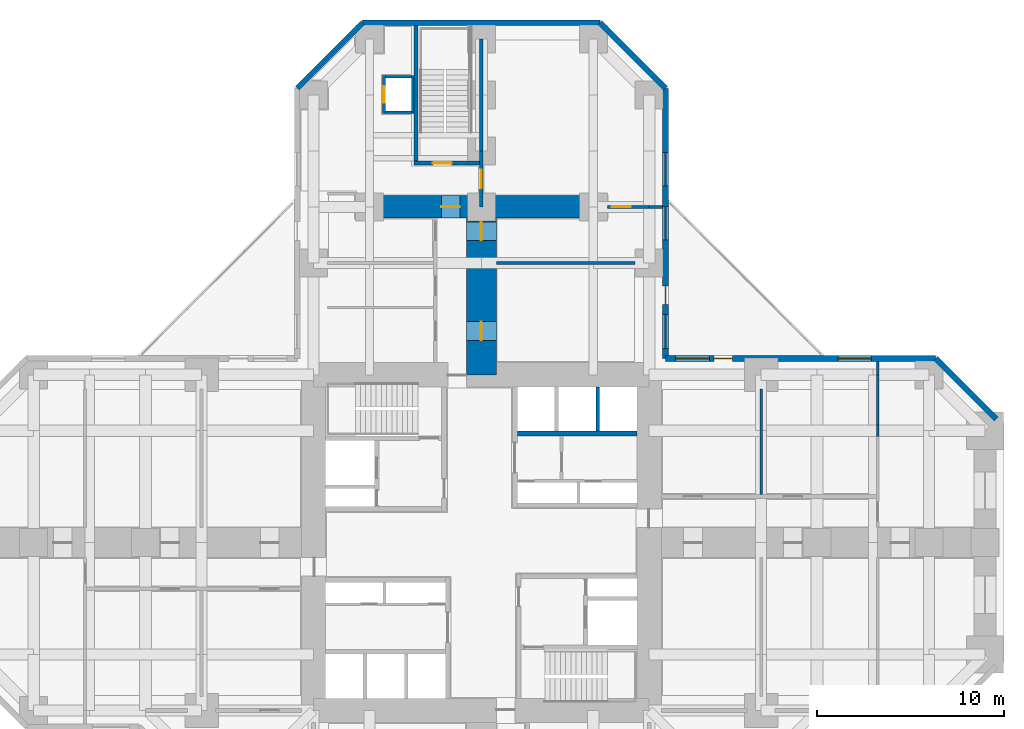
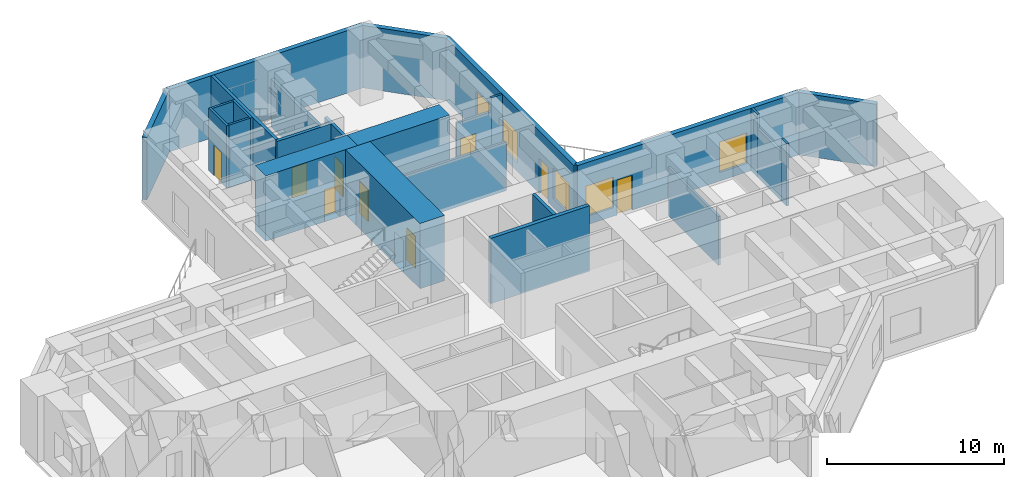
# One storey, part 7 of 10: 26 walls, 9 doors, 5 windows, 14 openings.
"""IFC4 building model written with IfcOpenShell, lengths in metres."""

from ifc_helpers import new_model, si_unit, direction, frame, frame_2d, origin, place, context, subcontext, project, spatial, rectangle, hollow_rectangle, extrude, material, layer, layer_set, constituent, constituent_set, type_object, element, fill, save


model = new_model("IFC4")

# Units and contexts
model_context = context("Model", 3, precision=1e-05, world=origin(), true_north=direction((0.0, 1.0)))
body_context = subcontext(model_context, "Body", "Model", "MODEL_VIEW")
ifc_project = project(units=[si_unit("LENGTHUNIT", "METRE"), si_unit("AREAUNIT", "SQUARE_METRE"), si_unit("VOLUMEUNIT", "CUBIC_METRE"), si_unit("PLANEANGLEUNIT", "RADIAN"), si_unit("MASSUNIT", "GRAM", prefix="KILO")], contexts=[model_context])

# Site, building, storey
site_placement = place(None, origin())
site = spatial("IfcSite", under=ifc_project, at=site_placement, CompositionType="ELEMENT")
building_placement = place(site_placement, origin())
building = spatial("IfcBuilding", under=site, at=building_placement, Name="Torre Cruceta", CompositionType="ELEMENT")
storey_placement = place(building_placement, frame((0.0, 0.0, 5.0)))
storey = spatial("IfcBuildingStorey", under=building, at=storey_placement, Name="L01", CompositionType="ELEMENT", Elevation=5.0)

# Wall
ifc_material_1 = material(Name="Concrete G60 (fck 60 MPa)", Category="concrete")
ifc_layer_1 = layer(ifc_material_1, 0.25)
ifc_layer_set_1 = layer_set([ifc_layer_1], Name="Concrete G60 (fck 60 MPa)")
wall_type_1 = type_object("IfcWallType", Name="CORE INNER WALL 250 G60", PredefinedType="SHEAR", material=ifc_layer_set_1)
wall_1_placement = place(storey_placement, frame((1.925048828125, 5.85009765625, 0.0), z_axis=(0.0, 0.0, 1.0), x_axis=(1.0, 0.0, 0.0)))
element("IfcWall", 1, at=wall_1_placement, inside=storey, type_object=wall_type_1, Name="CW4 L01 NE-LV", PredefinedType="SHEAR", context=body_context, shape_type="SweptSolid", body=[
    extrude(rectangle(XDim=6.425048828125, YDim=0.25, at=frame_2d((3.21240234375, 0.0))), origin(), (0.0, 0.0, 1.0), 4.5),
])

# Wall, opening, door
ifc_material_2 = material(Name="Concrete G25 (fck 25 MPa)", Category="concrete")
ifc_layer_2 = layer(ifc_material_2, 0.199951171875)
ifc_layer_set_2 = layer_set([ifc_layer_2], Name="Concrete G25 (fck 25 MPa)")
wall_type_2 = type_object("IfcWallType", Name="CORRIDOR WALL 200", PredefinedType="SOLIDWALL", material=ifc_layer_set_2)
wall_2_placement = place(storey_placement, frame((0.0, 18.0, 0.0), z_axis=(0.0, 0.0, 1.0), x_axis=(0.0, 1.0, 0.0)))
wall_2 = element("IfcWall", 2, at=wall_2_placement, inside=storey, type_object=wall_type_2, Name="PT3 spine line L01 N", PredefinedType="SOLIDWALL", context=body_context, shape_type="SweptSolid", body=[
    extrude(rectangle(XDim=3.0, YDim=0.199951171875, at=frame_2d((1.5, 0.0))), origin(), (0.0, 0.0, 1.0), 4.300048828125),
])
opening_1_placement = place(wall_2_placement, frame((1.0, 0.0, 0.0)))
opening_1 = element("IfcOpeningElement", 3, at=opening_1_placement, cuts=wall_2, Name="Opening D14", PredefinedType="OPENING", context=body_context, shape_type="SweptSolid", body=[
    extrude(rectangle(XDim=1.0, YDim=2.199951171875, at=frame_2d((0.5, 1.10009765625))), frame((0.0, 0.10986328125, 0.0), z_axis=(0.0, -1.0, 0.0), x_axis=(1.0, 0.0, 0.0)), (0.0, 0.0, 1.0), 0.219970703125),
])
ifc_material_3 = material(Name="Steel DX51D", Category="steel")
ifc_constituent_1 = constituent(ifc_material_3, Name="Leaf and frame")
ifc_material_4 = material(Name="Polyester powder coating", Category="paint")
ifc_constituent_2 = constituent(ifc_material_4, Name="Finish")
ifc_material_5 = material(Name="Fire-resisting glass", Category="glass")
ifc_constituent_3 = constituent(ifc_material_5, Name="Vision panel")
ifc_constituent_set_1 = constituent_set(constituents=[ifc_constituent_1, ifc_constituent_2, ifc_constituent_3], Name="Steel fire door with vision panel")
door_type_1 = type_object("IfcDoorType", Name="FIRE DOOR VISION PANEL 1000X2200", OperationType="SINGLE_SWING_RIGHT", PredefinedType="DOOR", material=ifc_constituent_set_1)
door_1_placement = place(opening_1_placement, frame((1.0, 0.0, 0.0), z_axis=(0.0, 0.0, 1.0), x_axis=(-1.0, 0.0, 0.0)))
door_1 = element("IfcDoor", 4, at=door_1_placement, inside=storey, type_object=door_type_1, Name="D14 L01-N-SP3", OperationType="SINGLE_SWING_RIGHT", OverallHeight=2.199951171875, OverallWidth=1.0, PredefinedType="DOOR", context=body_context, shape_type="SweptSolid", body=[
    extrude(rectangle(XDim=1.0, YDim=2.199951171875, at=frame_2d((0.5, 1.10009765625))), frame((0.0, 0.025146484375, 0.0), z_axis=(0.0, -1.0, 0.0), x_axis=(1.0, 0.0, 0.0)), (0.0, 0.0, 1.0), 0.050048828125),
])
fill(opening_1, door_1)

# Wall
wall_3_placement = place(storey_placement, frame((0.0, 21.0, 0.0), z_axis=(0.0, 0.0, 1.0), x_axis=(0.0, 1.0, 0.0)))
element("IfcWall", 5, at=wall_3_placement, inside=storey, type_object=wall_type_2, Name="PT3 spine line L01 N 2", PredefinedType="SOLIDWALL", context=body_context, shape_type="SweptSolid", body=[
    extrude(rectangle(XDim=6.0, YDim=0.199951171875, at=frame_2d((3.0, 0.0))), origin(), (0.0, 0.0, 1.0), 3.300048828125),
])

# Wall, opening, door
ifc_material_6 = material(Name="Concrete G60 (fck 60 MPa)", Category="concrete")
ifc_layer_3 = layer(ifc_material_6, 1.199951171875)
ifc_layer_set_3 = layer_set([ifc_layer_3], Name="Concrete G60 (fck 60 MPa)")
wall_type_3 = type_object("IfcWallType", Name="CROSS WALL 1200 G60", PredefinedType="SHEAR", material=ifc_layer_set_3)
wall_4_placement = place(storey_placement, frame((0.0, 18.0, 0.0), z_axis=(0.0, 0.0, 1.0), x_axis=(-1.0, 0.0, 0.0)))
wall_4 = element("IfcWall", 6, at=wall_4_placement, inside=storey, type_object=wall_type_3, Name="XW1 cross wall L01 N L", PredefinedType="SHEAR", context=body_context, shape_type="SweptSolid", body=[
    extrude(rectangle(XDim=6.0, YDim=1.199951171875, at=frame_2d((3.0, 0.0))), origin(), (0.0, 0.0, 1.0), 4.5),
])
opening_2_placement = place(wall_4_placement, frame((1.14990234375, 0.0, 0.0)))
opening_2 = element("IfcOpeningElement", 7, at=opening_2_placement, cuts=wall_4, Name="Opening D14", PredefinedType="OPENING", context=body_context, shape_type="SweptSolid", body=[
    extrude(rectangle(XDim=1.0, YDim=2.199951171875, at=frame_2d((0.5, 1.10009765625))), frame((0.0, 0.60986328125, 0.0), z_axis=(0.0, -1.0, 0.0), x_axis=(1.0, 0.0, 0.0)), (0.0, 0.0, 1.0), 1.219970703125),
])
door_2_placement = place(opening_2_placement, frame((1.0, 0.0, 0.0), z_axis=(0.0, 0.0, 1.0), x_axis=(-1.0, 0.0, 0.0)))
door_2 = element("IfcDoor", 8, at=door_2_placement, inside=storey, type_object=door_type_1, Name="D14 L01-N-XW1", OperationType="SINGLE_SWING_RIGHT", OverallHeight=2.199951171875, OverallWidth=1.0, PredefinedType="DOOR", context=body_context, shape_type="SweptSolid", body=[
    extrude(rectangle(XDim=1.0, YDim=2.199951171875, at=frame_2d((0.5, 1.10009765625))), frame((0.0, 0.025146484375, 0.0), z_axis=(0.0, -1.0, 0.0), x_axis=(1.0, 0.0, 0.0)), (0.0, 0.0, 1.0), 0.050048828125),
])
fill(opening_2, door_2)

# Walls
wall_5_placement = place(storey_placement, frame((0.0, 18.0, 0.0), z_axis=(0.0, 0.0, 1.0), x_axis=(1.0, 0.0, 0.0)))
element("IfcWall", 9, at=wall_5_placement, inside=storey, type_object=wall_type_3, Name="XW1 cross wall L01 N R", PredefinedType="SHEAR", context=body_context, shape_type="SweptSolid", body=[
    extrude(rectangle(XDim=6.0, YDim=1.199951171875, at=frame_2d((3.0, 0.0))), origin(), (0.0, 0.0, 1.0), 4.5),
])
ifc_material_7 = material(Name="Concrete G30 (fck 30 MPa)", Category="concrete")
ifc_layer_4 = layer(ifc_material_7, 0.300048828125)
ifc_layer_set_4 = layer_set([ifc_layer_4], Name="Concrete G30 (fck 30 MPa)")
wall_type_4 = type_object("IfcWallType", Name="EXPOSED CONCRETE FACADE WALL 300", PredefinedType="SOLIDWALL", material=ifc_layer_set_4)
wall_6_placement = place(storey_placement, frame((27.60009765625, 6.63037109375, 0.0), z_axis=(0.0, 0.0, 1.0), x_axis=(-0.707106781187, 0.707106781187, 0.0)))
element("IfcWall", 10, at=wall_6_placement, inside=storey, type_object=wall_type_4, Name="EW1 facade wall L01 E chamfer 03", PredefinedType="SOLIDWALL", context=body_context, shape_type="SweptSolid", body=[
    extrude(rectangle(XDim=4.581787109375, YDim=0.300048828125, at=frame_2d((2.291015625, 0.0))), origin(), (0.0, 0.0, 1.0), 4.300048828125),
])

# Wall, openings, door, windows
wall_7_placement = place(storey_placement, frame((24.3603515625, 9.8701171875, 0.0), z_axis=(0.0, 0.0, 1.0), x_axis=(-1.0, 0.0, 0.0)))
wall_7 = element("IfcWall", 11, at=wall_7_placement, inside=storey, type_object=wall_type_4, Name="EW1 facade wall L01 E side 04", PredefinedType="SOLIDWALL", context=body_context, shape_type="SweptSolid", body=[
    extrude(rectangle(XDim=14.490234375, YDim=0.300048828125, at=frame_2d((7.2451171875, 0.0))), origin(), (0.0, 0.0, 1.0), 4.300048828125),
])
opening_3_placement = place(wall_7_placement, frame((10.89990234375, 0.0, 0.0)))
opening_3 = element("IfcOpeningElement", 12, at=opening_3_placement, cuts=wall_7, Name="Opening D11", PredefinedType="OPENING", context=body_context, shape_type="SweptSolid", body=[
    extrude(rectangle(XDim=1.0, YDim=2.39990234375, at=frame_2d((0.5, 1.199951171875))), frame((0.0, 0.159912109375, 0.0), z_axis=(0.0, -1.0, 0.0), x_axis=(1.0, 0.0, 0.0)), (0.0, 0.0, 1.0), 0.320068359375),
])
opening_4_placement = place(wall_7_placement, frame((3.447021484375, 0.0, 0.60009765625)))
opening_4 = element("IfcOpeningElement", 13, at=opening_4_placement, cuts=wall_7, Name="Opening WN4", PredefinedType="OPENING", context=body_context, shape_type="SweptSolid", body=[
    extrude(rectangle(XDim=1.800048828125, YDim=2.10009765625, at=frame_2d((0.89990234375, 1.050048828125))), frame((0.0, 0.159912109375, 0.0), z_axis=(0.0, -1.0, 0.0), x_axis=(1.0, 0.0, 0.0)), (0.0, 0.0, 1.0), 0.320068359375),
])
opening_5_placement = place(wall_7_placement, frame((12.141357421875, 0.0, 0.60009765625)))
opening_5 = element("IfcOpeningElement", 14, at=opening_5_placement, cuts=wall_7, Name="Opening WN4", PredefinedType="OPENING", context=body_context, shape_type="SweptSolid", body=[
    extrude(rectangle(XDim=1.800048828125, YDim=2.10009765625, at=frame_2d((0.89990234375, 1.050048828125))), frame((0.0, 0.159912109375, 0.0), z_axis=(0.0, -1.0, 0.0), x_axis=(1.0, 0.0, 0.0)), (0.0, 0.0, 1.0), 0.320068359375),
])
ifc_material_8 = material(Name="Aluminium door frame", Category="aluminium")
ifc_constituent_4 = constituent(ifc_material_8, Name="Frame")
ifc_material_9 = material(Name="Laminated safety glass", Category="glass")
ifc_constituent_5 = constituent(ifc_material_9, Name="Glazing")
ifc_constituent_set_2 = constituent_set(constituents=[ifc_constituent_4, ifc_constituent_5], Name="Aluminium glazed door")
door_type_2 = type_object("IfcDoorType", Name="TERRACE DOOR 1000X2400", OperationType="SINGLE_SWING_LEFT", PredefinedType="DOOR", material=ifc_constituent_set_2)
door_3_placement = place(opening_3_placement, origin())
door_3 = element("IfcDoor", 15, at=door_3_placement, inside=storey, type_object=door_type_2, Name="D11 terrace door L01 E", OperationType="SINGLE_SWING_RIGHT", OverallHeight=2.39990234375, OverallWidth=1.0, PredefinedType="DOOR", context=body_context, shape_type="SweptSolid", body=[
    extrude(hollow_rectangle(XDim=1.0, YDim=2.39990234375, WallThickness=0.06005859375, at=frame_2d((0.5, 1.199951171875))), frame((0.0, 0.02490234375, 0.0), z_axis=(0.0, -1.0, 0.0), x_axis=(1.0, 0.0, 0.0)), (0.0, 0.0, 1.0), 0.050048828125),
    extrude(rectangle(XDim=0.87890625, YDim=2.27880859375, at=frame_2d((0.5, 1.199951171875))), frame((0.0, 0.02490234375, 0.0), z_axis=(0.0, -1.0, 0.0), x_axis=(1.0, 0.0, 0.0)), (0.0, 0.0, 1.0), 0.050048828125),
])
fill(opening_3, door_3)
ifc_material_10 = material(Name="Aluminium window frame", Category="aluminium")
ifc_constituent_6 = constituent(ifc_material_10, Name="Frame")
ifc_material_11 = material(Name="Laminated insulating glass unit, low-iron clear", Category="glass")
ifc_constituent_7 = constituent(ifc_material_11, Name="Glazing")
ifc_constituent_set_3 = constituent_set(constituents=[ifc_constituent_6, ifc_constituent_7], Name="Aluminium window")
window_type = type_object("IfcWindowType", Name="TERRACE FRONT WINDOW 1800X2100", PartitioningType="SINGLE_PANEL", PredefinedType="WINDOW", material=ifc_constituent_set_3)
window_1_placement = place(opening_4_placement, origin())
window_1 = element("IfcWindow", 16, at=window_1_placement, inside=storey, type_object=window_type, Name="WN4 L01 E 2", OverallHeight=2.10009765625, OverallWidth=1.800048828125, PartitioningType="SINGLE_PANEL", PredefinedType="WINDOW", context=body_context, shape_type="SweptSolid", body=[
    extrude(hollow_rectangle(XDim=1.800048828125, YDim=2.10009765625, WallThickness=0.06005859375, at=frame_2d((0.89990234375, 1.050048828125))), frame((0.0, 0.030029296875, 0.0), z_axis=(0.0, -1.0, 0.0), x_axis=(1.0, 0.0, 0.0)), (0.0, 0.0, 1.0), 0.06005859375),
    extrude(rectangle(XDim=1.678955078125, YDim=1.97900390625, at=frame_2d((0.89990234375, 1.050048828125))), frame((0.0, 0.030029296875, 0.0), z_axis=(0.0, -1.0, 0.0), x_axis=(1.0, 0.0, 0.0)), (0.0, 0.0, 1.0), 0.06005859375),
])
fill(opening_4, window_1)
window_2_placement = place(opening_5_placement, origin())
window_2 = element("IfcWindow", 17, at=window_2_placement, inside=storey, type_object=window_type, Name="WN4 L01 E 5", OverallHeight=2.10009765625, OverallWidth=1.800048828125, PartitioningType="SINGLE_PANEL", PredefinedType="WINDOW", context=body_context, shape_type="SweptSolid", body=[
    extrude(hollow_rectangle(XDim=1.800048828125, YDim=2.10009765625, WallThickness=0.06005859375, at=frame_2d((0.89990234375, 1.050048828125))), frame((0.0, 0.030029296875, 0.0), z_axis=(0.0, -1.0, 0.0), x_axis=(1.0, 0.0, 0.0)), (0.0, 0.0, 1.0), 0.06005859375),
    extrude(rectangle(XDim=1.678955078125, YDim=1.97900390625, at=frame_2d((0.89990234375, 1.050048828125))), frame((0.0, 0.030029296875, 0.0), z_axis=(0.0, -1.0, 0.0), x_axis=(1.0, 0.0, 0.0)), (0.0, 0.0, 1.0), 0.06005859375),
])
fill(opening_5, window_2)

wall_8_placement = place(storey_placement, frame((9.8701171875, 9.8701171875, 0.0), z_axis=(0.0, 0.0, 1.0), x_axis=(0.0, 1.0, 0.0)))
wall_8 = element("IfcWall", 18, at=wall_8_placement, inside=storey, type_object=wall_type_4, Name="EW1 facade wall L01 N side 05", PredefinedType="SOLIDWALL", context=body_context, shape_type="SweptSolid", body=[
    extrude(rectangle(XDim=14.490234375, YDim=0.300048828125, at=frame_2d((7.2451171875, 0.0))), origin(), (0.0, 0.0, 1.0), 4.300048828125),
])
opening_6_placement = place(wall_8_placement, frame((2.89990234375, 0.0, 0.0)))
opening_6 = element("IfcOpeningElement", 19, at=opening_6_placement, cuts=wall_8, Name="Opening D11", PredefinedType="OPENING", context=body_context, shape_type="SweptSolid", body=[
    extrude(rectangle(XDim=1.0, YDim=2.39990234375, at=frame_2d((0.5, 1.199951171875))), frame((0.0, 0.159912109375, 0.0), z_axis=(0.0, -1.0, 0.0), x_axis=(1.0, 0.0, 0.0)), (0.0, 0.0, 1.0), 0.320068359375),
])
opening_7_placement = place(wall_8_placement, frame((0.549072265625, 0.0, 0.60009765625)))
opening_7 = element("IfcOpeningElement", 20, at=opening_7_placement, cuts=wall_8, Name="Opening WN4", PredefinedType="OPENING", context=body_context, shape_type="SweptSolid", body=[
    extrude(rectangle(XDim=1.800048828125, YDim=2.10009765625, at=frame_2d((0.89990234375, 1.050048828125))), frame((0.0, 0.159912109375, 0.0), z_axis=(0.0, -1.0, 0.0), x_axis=(1.0, 0.0, 0.0)), (0.0, 0.0, 1.0), 0.320068359375),
])
opening_8_placement = place(wall_8_placement, frame((6.34521484375, 0.0, 0.60009765625)))
opening_8 = element("IfcOpeningElement", 21, at=opening_8_placement, cuts=wall_8, Name="Opening WN4", PredefinedType="OPENING", context=body_context, shape_type="SweptSolid", body=[
    extrude(rectangle(XDim=1.800048828125, YDim=2.10009765625, at=frame_2d((0.89990234375, 1.050048828125))), frame((0.0, 0.159912109375, 0.0), z_axis=(0.0, -1.0, 0.0), x_axis=(1.0, 0.0, 0.0)), (0.0, 0.0, 1.0), 0.320068359375),
])
opening_9_placement = place(wall_8_placement, frame((9.2431640625, 0.0, 0.60009765625)))
opening_9 = element("IfcOpeningElement", 22, at=opening_9_placement, cuts=wall_8, Name="Opening WN4", PredefinedType="OPENING", context=body_context, shape_type="SweptSolid", body=[
    extrude(rectangle(XDim=1.800048828125, YDim=2.10009765625, at=frame_2d((0.89990234375, 1.050048828125))), frame((0.0, 0.159912109375, 0.0), z_axis=(0.0, -1.0, 0.0), x_axis=(1.0, 0.0, 0.0)), (0.0, 0.0, 1.0), 0.320068359375),
])
door_4_placement = place(opening_6_placement, origin())
door_4 = element("IfcDoor", 23, at=door_4_placement, inside=storey, type_object=door_type_2, Name="D11 terrace door L01 N", OperationType="SINGLE_SWING_LEFT", OverallHeight=2.39990234375, OverallWidth=1.0, PredefinedType="DOOR", context=body_context, shape_type="SweptSolid", body=[
    extrude(hollow_rectangle(XDim=1.0, YDim=2.39990234375, WallThickness=0.06005859375, at=frame_2d((0.5, 1.199951171875))), frame((0.0, 0.02490234375, 0.0), z_axis=(0.0, -1.0, 0.0), x_axis=(1.0, 0.0, 0.0)), (0.0, 0.0, 1.0), 0.050048828125),
    extrude(rectangle(XDim=0.87890625, YDim=2.27880859375, at=frame_2d((0.5, 1.199951171875))), frame((0.0, 0.02490234375, 0.0), z_axis=(0.0, -1.0, 0.0), x_axis=(1.0, 0.0, 0.0)), (0.0, 0.0, 1.0), 0.050048828125),
])
fill(opening_6, door_4)
window_3_placement = place(opening_7_placement, origin())
window_3 = element("IfcWindow", 24, at=window_3_placement, inside=storey, type_object=window_type, Name="WN4 L01 N 1", OverallHeight=2.10009765625, OverallWidth=1.800048828125, PartitioningType="SINGLE_PANEL", PredefinedType="WINDOW", context=body_context, shape_type="SweptSolid", body=[
    extrude(hollow_rectangle(XDim=1.800048828125, YDim=2.10009765625, WallThickness=0.06005859375, at=frame_2d((0.89990234375, 1.050048828125))), frame((0.0, 0.030029296875, 0.0), z_axis=(0.0, -1.0, 0.0), x_axis=(1.0, 0.0, 0.0)), (0.0, 0.0, 1.0), 0.06005859375),
    extrude(rectangle(XDim=1.678955078125, YDim=1.97900390625, at=frame_2d((0.89990234375, 1.050048828125))), frame((0.0, 0.030029296875, 0.0), z_axis=(0.0, -1.0, 0.0), x_axis=(1.0, 0.0, 0.0)), (0.0, 0.0, 1.0), 0.06005859375),
])
fill(opening_7, window_3)
window_4_placement = place(opening_8_placement, origin())
window_4 = element("IfcWindow", 25, at=window_4_placement, inside=storey, type_object=window_type, Name="WN4 L01 N 3", OverallHeight=2.10009765625, OverallWidth=1.800048828125, PartitioningType="SINGLE_PANEL", PredefinedType="WINDOW", context=body_context, shape_type="SweptSolid", body=[
    extrude(hollow_rectangle(XDim=1.800048828125, YDim=2.10009765625, WallThickness=0.06005859375, at=frame_2d((0.89990234375, 1.050048828125))), frame((0.0, 0.030029296875, 0.0), z_axis=(0.0, -1.0, 0.0), x_axis=(1.0, 0.0, 0.0)), (0.0, 0.0, 1.0), 0.06005859375),
    extrude(rectangle(XDim=1.678955078125, YDim=1.97900390625, at=frame_2d((0.89990234375, 1.050048828125))), frame((0.0, 0.030029296875, 0.0), z_axis=(0.0, -1.0, 0.0), x_axis=(1.0, 0.0, 0.0)), (0.0, 0.0, 1.0), 0.06005859375),
])
fill(opening_8, window_4)
window_5_placement = place(opening_9_placement, origin())
window_5 = element("IfcWindow", 26, at=window_5_placement, inside=storey, type_object=window_type, Name="WN4 L01 N 4", OverallHeight=2.10009765625, OverallWidth=1.800048828125, PartitioningType="SINGLE_PANEL", PredefinedType="WINDOW", context=body_context, shape_type="SweptSolid", body=[
    extrude(hollow_rectangle(XDim=1.800048828125, YDim=2.10009765625, WallThickness=0.06005859375, at=frame_2d((0.89990234375, 1.050048828125))), frame((0.0, 0.030029296875, 0.0), z_axis=(0.0, -1.0, 0.0), x_axis=(1.0, 0.0, 0.0)), (0.0, 0.0, 1.0), 0.06005859375),
    extrude(rectangle(XDim=1.678955078125, YDim=1.97900390625, at=frame_2d((0.89990234375, 1.050048828125))), frame((0.0, 0.030029296875, 0.0), z_axis=(0.0, -1.0, 0.0), x_axis=(1.0, 0.0, 0.0)), (0.0, 0.0, 1.0), 0.06005859375),
])
fill(opening_9, window_5)

# Walls
wall_9_placement = place(storey_placement, frame((9.8701171875, 24.3603515625, 0.0), z_axis=(0.0, 0.0, 1.0), x_axis=(-0.707106781187, 0.707106781187, 0.0)))
element("IfcWall", 27, at=wall_9_placement, inside=storey, type_object=wall_type_4, Name="EW1 facade wall L01 N chamfer 06", PredefinedType="SOLIDWALL", context=body_context, shape_type="SweptSolid", body=[
    extrude(rectangle(XDim=4.963623046875, YDim=0.300048828125, at=frame_2d((2.48193359375, 0.0))), origin(), (0.0, 0.0, 1.0), 4.300048828125),
])
wall_10_placement = place(storey_placement, frame((6.3603515625, 27.8701171875, 0.0), z_axis=(0.0, 0.0, 1.0), x_axis=(-1.0, 0.0, 0.0)))
element("IfcWall", 28, at=wall_10_placement, inside=storey, type_object=wall_type_4, Name="EW1 facade wall L01 N tip 07", PredefinedType="SOLIDWALL", context=body_context, shape_type="SweptSolid", body=[
    extrude(rectangle(XDim=12.720703125, YDim=0.300048828125, at=frame_2d((6.3603515625, 0.0))), origin(), (0.0, 0.0, 1.0), 4.300048828125),
])
wall_11_placement = place(storey_placement, frame((-6.3603515625, 27.8701171875, 0.0), z_axis=(0.0, 0.0, 1.0), x_axis=(-0.707106781187, -0.707106781187, 0.0)))
element("IfcWall", 29, at=wall_11_placement, inside=storey, type_object=wall_type_4, Name="EW1 facade wall L01 N chamfer 08", PredefinedType="SOLIDWALL", context=body_context, shape_type="SweptSolid", body=[
    extrude(rectangle(XDim=4.963623046875, YDim=0.300048828125, at=frame_2d((2.48193359375, 0.0))), origin(), (0.0, 0.0, 1.0), 4.300048828125),
])
ifc_material_12 = material(Name="Concrete block masonry", Category="masonry")
ifc_layer_5 = layer(ifc_material_12, 0.14990234375)
ifc_layer_set_5 = layer_set([ifc_layer_5], Name="Concrete block masonry")
wall_type_5 = type_object("IfcWallType", Name="LIFT SHAFT WALL 150", PredefinedType="PARTITIONING", material=ifc_layer_set_5)
wall_12_placement = place(storey_placement, frame((-3.675048828125, 23.0, 0.0), z_axis=(0.0, 0.0, 1.0), x_axis=(0.0, 1.0, 0.0)))
element("IfcWall", 30, at=wall_12_placement, inside=storey, type_object=wall_type_5, Name="PT7 L01-N-LS1A", PredefinedType="PARTITIONING", context=body_context, shape_type="SweptSolid", body=[
    extrude(rectangle(XDim=2.050048828125, YDim=0.14990234375, at=frame_2d((1.02490234375, 0.0))), origin(), (0.0, 0.0, 1.0), 4.300048828125),
])

# Wall, opening, door
wall_13_placement = place(storey_placement, frame((-5.22509765625, 23.0, 0.0), z_axis=(0.0, 0.0, 1.0), x_axis=(0.0, 1.0, 0.0)))
wall_13 = element("IfcWall", 31, at=wall_13_placement, inside=storey, type_object=wall_type_5, Name="PT7 L01-N-LS1B", PredefinedType="PARTITIONING", context=body_context, shape_type="SweptSolid", body=[
    extrude(rectangle(XDim=2.050048828125, YDim=0.14990234375, at=frame_2d((1.02490234375, 0.0))), origin(), (0.0, 0.0, 1.0), 4.300048828125),
])
opening_10_placement = place(wall_13_placement, frame((0.574951171875, 0.0, 0.0)))
opening_10 = element("IfcOpeningElement", 32, at=opening_10_placement, cuts=wall_13, Name="Opening LD2", PredefinedType="OPENING", context=body_context, shape_type="SweptSolid", body=[
    extrude(rectangle(XDim=0.89990234375, YDim=2.10009765625, at=frame_2d((0.449951171875, 1.050048828125))), frame((0.0, 0.0849609375, 0.0), z_axis=(0.0, -1.0, 0.0), x_axis=(1.0, 0.0, 0.0)), (0.0, 0.0, 1.0), 0.169921875),
])
ifc_material_13 = material(Name="Stainless steel 1.4401", Category="steel")
door_type_3 = type_object("IfcDoorType", Name="PLATFORM LIFT LANDING DOOR 900X2100", OperationType="DOUBLE_DOOR_SLIDING", PredefinedType="DOOR", material=ifc_material_13)
door_5_placement = place(opening_10_placement, origin())
door_5 = element("IfcDoor", 33, at=door_5_placement, inside=storey, type_object=door_type_3, Name="LD2 L01-N-LS1B-D1", OperationType="DOUBLE_DOOR_SLIDING", OverallHeight=2.10009765625, OverallWidth=0.89990234375, PredefinedType="DOOR", context=body_context, shape_type="SweptSolid", body=[
    extrude(rectangle(XDim=0.89990234375, YDim=2.10009765625, at=frame_2d((0.449951171875, 1.050048828125))), frame((0.0, 0.02490234375, 0.0), z_axis=(0.0, -1.0, 0.0), x_axis=(1.0, 0.0, 0.0)), (0.0, 0.0, 1.0), 0.050048828125),
])
fill(opening_10, door_5)

# Walls
for number, where, z_axis, x_axis, name in (
    (34, (-3.75, 23.074951171875, 0.0), (0.0, 0.0, 1.0), (-1.0, 0.0, 0.0), "PT7 L01-N-LS1C"),
    (35, (-3.75, 24.97509765625, 0.0), (0.0, 0.0, 1.0), (-1.0, 0.0, 0.0), "PT7 L01-N-LS1D"),
):
    element("IfcWall", number, at=place(storey_placement, frame(where, z_axis=z_axis, x_axis=x_axis)), inside=storey, type_object=wall_type_5, Name=name, PredefinedType="PARTITIONING", context=body_context, shape_type="SweptSolid", body=[
        extrude(rectangle(XDim=1.39990234375, YDim=0.14990234375, at=frame_2d((0.699951171875, 0.0))), origin(), (0.0, 0.0, 1.0), 4.300048828125),
    ])
ifc_material_14 = material(Name="Concrete G35 (fck 35 MPa)", Category="concrete")
ifc_layer_6 = layer(ifc_material_14, 0.199951171875)
ifc_layer_set_6 = layer_set([ifc_layer_6], Name="Concrete G35 (fck 35 MPa)")
wall_type_6 = type_object("IfcWallType", Name="LIFT SHAFT WALL 200", PredefinedType="PARTITIONING", material=ifc_layer_set_6)
wall_14_placement = place(storey_placement, frame((6.24169921875, 5.97509765625, 0.0), z_axis=(0.0, 0.0, 1.0), x_axis=(0.0, 1.0, 0.0)))
element("IfcWall", 36, at=wall_14_placement, inside=storey, type_object=wall_type_6, Name="SW1 L01 NE-LS2", PredefinedType="PARTITIONING", context=body_context, shape_type="SweptSolid", body=[
    extrude(rectangle(XDim=2.375, YDim=0.199951171875, at=frame_2d((1.1875, 0.0))), origin(), (0.0, 0.0, 1.0), 4.5),
])
ifc_material_15 = material(Name="Plasterboard on steel studs", Category="steel")
ifc_layer_7 = layer(ifc_material_15, 0.14990234375)
ifc_layer_set_7 = layer_set([ifc_layer_7], Name="Plasterboard on steel studs")
wall_type_7 = type_object("IfcWallType", Name="PARTITION 150", PredefinedType="PARTITIONING", material=ifc_layer_set_7)
wall_15_placement = place(storey_placement, frame((8.25, 15.0, 0.0), z_axis=(0.0, 0.0, 1.0), x_axis=(-1.0, 0.0, 0.0)))
element("IfcWall", 37, at=wall_15_placement, inside=storey, type_object=wall_type_7, Name="PT1 L01-N-P1R", PredefinedType="PARTITIONING", context=body_context, shape_type="SweptSolid", body=[
    extrude(rectangle(XDim=7.449951171875, YDim=0.14990234375, at=frame_2d((3.72509765625, 0.0))), origin(), (0.0, 0.0, 1.0), 3.35009765625),
])

# Wall, opening, door
wall_16_placement = place(storey_placement, frame((6.75, 18.0, 0.0), z_axis=(0.0, 0.0, 1.0), x_axis=(1.0, 0.0, 0.0)))
wall_16 = element("IfcWall", 38, at=wall_16_placement, inside=storey, type_object=wall_type_7, Name="PT1 L01-N-LABX", PredefinedType="PARTITIONING", context=body_context, shape_type="SweptSolid", body=[
    extrude(rectangle(XDim=2.25, YDim=0.14990234375, at=frame_2d((1.125, 0.0))), origin(), (0.0, 0.0, 1.0), 3.35009765625),
])
opening_11_placement = place(wall_16_placement, frame((0.25, 0.0, 0.0)))
opening_11 = element("IfcOpeningElement", 39, at=opening_11_placement, cuts=wall_16, Name="Opening D14", PredefinedType="OPENING", context=body_context, shape_type="SweptSolid", body=[
    extrude(rectangle(XDim=1.0, YDim=2.199951171875, at=frame_2d((0.5, 1.10009765625))), frame((0.0, 0.0849609375, 0.0), z_axis=(0.0, -1.0, 0.0), x_axis=(1.0, 0.0, 0.0)), (0.0, 0.0, 1.0), 0.169921875),
])
door_6_placement = place(opening_11_placement, frame((1.0, 0.0, 0.0), z_axis=(0.0, 0.0, 1.0), x_axis=(-1.0, 0.0, 0.0)))
door_6 = element("IfcDoor", 40, at=door_6_placement, inside=storey, type_object=door_type_1, Name="D14 L01-N-LABX-D1", OperationType="SINGLE_SWING_RIGHT", OverallHeight=2.199951171875, OverallWidth=1.0, PredefinedType="DOOR", context=body_context, shape_type="SweptSolid", body=[
    extrude(rectangle(XDim=1.0, YDim=2.199951171875, at=frame_2d((0.5, 1.10009765625))), frame((0.0, 0.025146484375, 0.0), z_axis=(0.0, -1.0, 0.0), x_axis=(1.0, 0.0, 0.0)), (0.0, 0.0, 1.0), 0.050048828125),
])
fill(opening_11, door_6)

# Walls
wall_17_placement = place(storey_placement, frame((9.0, 18.0, 0.0), z_axis=(0.0, 0.0, 1.0), x_axis=(1.0, 0.0, 0.0)))
element("IfcWall", 41, at=wall_17_placement, inside=storey, type_object=wall_type_7, Name="PT1 L01-N-LABX 2", PredefinedType="PARTITIONING", context=body_context, shape_type="SweptSolid", body=[
    extrude(rectangle(XDim=0.719970703125, YDim=0.14990234375, at=frame_2d((0.35986328125, 0.0))), origin(), (0.0, 0.0, 1.0), 4.300048828125),
])
wall_18_placement = place(storey_placement, frame((15.0, 2.574951171875, 0.0), z_axis=(0.0, 0.0, 1.0), x_axis=(0.0, 1.0, 0.0)))
element("IfcWall", 42, at=wall_18_placement, inside=storey, type_object=wall_type_7, Name="PT1 L01-E-P1L", PredefinedType="PARTITIONING", context=body_context, shape_type="SweptSolid", body=[
    extrude(rectangle(XDim=5.675048828125, YDim=0.14990234375, at=frame_2d((2.83740234375, 0.0))), origin(), (0.0, 0.0, 1.0), 3.35009765625),
])
wall_19_placement = place(storey_placement, frame((21.25, 5.699951171875, 0.0), z_axis=(0.0, 0.0, 1.0), x_axis=(0.0, 1.0, 0.0)))
element("IfcWall", 43, at=wall_19_placement, inside=storey, type_object=wall_type_7, Name="PT1 L01-E-ENDb 2", PredefinedType="PARTITIONING", context=body_context, shape_type="SweptSolid", body=[
    extrude(rectangle(XDim=0.60009765625, YDim=0.14990234375, at=frame_2d((0.300048828125, 0.0))), origin(), (0.0, 0.0, 1.0), 4.300048828125),
])
wall_20_placement = place(storey_placement, frame((21.25, 6.300048828125, 0.0), z_axis=(0.0, 0.0, 1.0), x_axis=(0.0, 1.0, 0.0)))
element("IfcWall", 44, at=wall_20_placement, inside=storey, type_object=wall_type_7, Name="PT1 L01-E-ENDb 3", PredefinedType="PARTITIONING", context=body_context, shape_type="SweptSolid", body=[
    extrude(rectangle(XDim=2.699951171875, YDim=0.14990234375, at=frame_2d((1.35009765625, 0.0))), origin(), (0.0, 0.0, 1.0), 3.35009765625),
])
wall_21_placement = place(storey_placement, frame((21.25, 9.0, 0.0), z_axis=(0.0, 0.0, 1.0), x_axis=(0.0, 1.0, 0.0)))
element("IfcWall", 45, at=wall_21_placement, inside=storey, type_object=wall_type_7, Name="PT1 L01-E-ENDb 4", PredefinedType="PARTITIONING", context=body_context, shape_type="SweptSolid", body=[
    extrude(rectangle(XDim=0.719970703125, YDim=0.14990234375, at=frame_2d((0.35986328125, 0.0))), origin(), (0.0, 0.0, 1.0), 4.300048828125),
])

# Wall, openings, doors
ifc_material_16 = material(Name="Concrete G60 (fck 60 MPa)", Category="concrete")
ifc_layer_8 = layer(ifc_material_16, 1.60009765625)
ifc_layer_set_8 = layer_set([ifc_layer_8], Name="Concrete G60 (fck 60 MPa)")
wall_type_8 = type_object("IfcWallType", Name="SPINE WALL 1600 G60", PredefinedType="SHEAR", material=ifc_layer_set_8)
wall_22_placement = place(storey_placement, frame((0.0, 9.0, 0.0), z_axis=(0.0, 0.0, 1.0), x_axis=(0.0, 1.0, 0.0)))
wall_22 = element("IfcWall", 46, at=wall_22_placement, inside=storey, type_object=wall_type_8, Name="SW2 spine wall L01 N", PredefinedType="SHEAR", context=body_context, shape_type="SweptSolid", body=[
    extrude(rectangle(XDim=9.0, YDim=1.60009765625, at=frame_2d((4.5, 0.0))), origin(), (0.0, 0.0, 1.0), 4.5),
])
opening_12_placement = place(wall_22_placement, frame((1.85009765625, 0.0, 0.0)))
opening_12 = element("IfcOpeningElement", 47, at=opening_12_placement, cuts=wall_22, Name="Opening D14", PredefinedType="OPENING", context=body_context, shape_type="SweptSolid", body=[
    extrude(rectangle(XDim=1.0, YDim=2.199951171875, at=frame_2d((0.5, 1.10009765625))), frame((0.0, 0.81005859375, 0.0), z_axis=(0.0, -1.0, 0.0), x_axis=(1.0, 0.0, 0.0)), (0.0, 0.0, 1.0), 1.6201171875),
])
opening_13_placement = place(wall_22_placement, frame((7.199951171875, 0.0, 0.0)))
opening_13 = element("IfcOpeningElement", 48, at=opening_13_placement, cuts=wall_22, Name="Opening D14", PredefinedType="OPENING", context=body_context, shape_type="SweptSolid", body=[
    extrude(rectangle(XDim=1.0, YDim=2.199951171875, at=frame_2d((0.5, 1.10009765625))), frame((0.0, 0.81005859375, 0.0), z_axis=(0.0, -1.0, 0.0), x_axis=(1.0, 0.0, 0.0)), (0.0, 0.0, 1.0), 1.6201171875),
])
door_7_placement = place(opening_12_placement, frame((1.0, 0.0, 0.0), z_axis=(0.0, 0.0, 1.0), x_axis=(-1.0, 0.0, 0.0)))
door_7 = element("IfcDoor", 49, at=door_7_placement, inside=storey, type_object=door_type_1, Name="D14 L01-N-SP1", OperationType="SINGLE_SWING_RIGHT", OverallHeight=2.199951171875, OverallWidth=1.0, PredefinedType="DOOR", context=body_context, shape_type="SweptSolid", body=[
    extrude(rectangle(XDim=1.0, YDim=2.199951171875, at=frame_2d((0.5, 1.10009765625))), frame((0.0, 0.025146484375, 0.0), z_axis=(0.0, -1.0, 0.0), x_axis=(1.0, 0.0, 0.0)), (0.0, 0.0, 1.0), 0.050048828125),
])
fill(opening_12, door_7)
door_8_placement = place(opening_13_placement, frame((1.0, 0.0, 0.0), z_axis=(0.0, 0.0, 1.0), x_axis=(-1.0, 0.0, 0.0)))
door_8 = element("IfcDoor", 50, at=door_8_placement, inside=storey, type_object=door_type_1, Name="D14 L01-N-SP2", OperationType="SINGLE_SWING_LEFT", OverallHeight=2.199951171875, OverallWidth=1.0, PredefinedType="DOOR", context=body_context, shape_type="SweptSolid", body=[
    extrude(rectangle(XDim=1.0, YDim=2.199951171875, at=frame_2d((0.5, 1.10009765625))), frame((0.0, 0.025146484375, 0.0), z_axis=(0.0, -1.0, 0.0), x_axis=(1.0, 0.0, 0.0)), (0.0, 0.0, 1.0), 0.050048828125),
])
fill(opening_13, door_8)

# Wall, opening, door
ifc_material_17 = material(Name="Concrete G25 (fck 25 MPa)", Category="concrete")
ifc_layer_9 = layer(ifc_material_17, 0.199951171875)
ifc_layer_set_9 = layer_set([ifc_layer_9], Name="Concrete G25 (fck 25 MPa)")
wall_type_9 = type_object("IfcWallType", Name="UNIT SEPARATING WALL 200", PredefinedType="SOLIDWALL", material=ifc_layer_set_9)
wall_23_placement = place(storey_placement, frame((-0.10009765625, 20.35009765625, 0.0), z_axis=(0.0, 0.0, 1.0), x_axis=(-1.0, 0.0, 0.0)))
wall_23 = element("IfcWall", 51, at=wall_23_placement, inside=storey, type_object=wall_type_9, Name="PT2 L01-N-SB1", PredefinedType="SOLIDWALL", context=body_context, shape_type="SweptSolid", body=[
    extrude(rectangle(XDim=3.5, YDim=0.199951171875, at=frame_2d((1.75, 0.0))), origin(), (0.0, 0.0, 1.0), 4.300048828125),
])
opening_14_placement = place(wall_23_placement, frame((1.5, 0.0, 0.0)))
opening_14 = element("IfcOpeningElement", 52, at=opening_14_placement, cuts=wall_23, Name="Opening D3", PredefinedType="OPENING", context=body_context, shape_type="SweptSolid", body=[
    extrude(rectangle(XDim=1.0, YDim=2.10009765625, at=frame_2d((0.5, 1.050048828125))), frame((0.0, 0.10986328125, 0.0), z_axis=(0.0, -1.0, 0.0), x_axis=(1.0, 0.0, 0.0)), (0.0, 0.0, 1.0), 0.219970703125),
])
ifc_material_18 = material(Name="Steel DX51D", Category="steel")
ifc_constituent_8 = constituent(ifc_material_18, Name="Leaf and frame")
ifc_material_19 = material(Name="Polyester powder coating", Category="paint")
ifc_constituent_9 = constituent(ifc_material_19, Name="Finish")
ifc_constituent_set_4 = constituent_set(constituents=[ifc_constituent_8, ifc_constituent_9], Name="Steel fire door")
door_type_4 = type_object("IfcDoorType", Name="FIRE DOOR 1000X2100", OperationType="SINGLE_SWING_LEFT", PredefinedType="DOOR", material=ifc_constituent_set_4)
door_9_placement = place(opening_14_placement, frame((1.0, 0.0, 0.0), z_axis=(0.0, 0.0, 1.0), x_axis=(-1.0, 0.0, 0.0)))
door_9 = element("IfcDoor", 53, at=door_9_placement, inside=storey, type_object=door_type_4, Name="D3 L01-N-SB1-D1", OperationType="SINGLE_SWING_LEFT", OverallHeight=2.10009765625, OverallWidth=1.0, PredefinedType="DOOR", context=body_context, shape_type="SweptSolid", body=[
    extrude(rectangle(XDim=1.0, YDim=2.10009765625, at=frame_2d((0.5, 1.050048828125))), frame((0.0, 0.025146484375, 0.0), z_axis=(0.0, -1.0, 0.0), x_axis=(1.0, 0.0, 0.0)), (0.0, 0.0, 1.0), 0.050048828125),
])
fill(opening_14, door_9)

# Wall
wall_24_placement = place(storey_placement, frame((-3.5, 20.449951171875, 0.0), z_axis=(0.0, 0.0, 1.0), x_axis=(0.0, 1.0, 0.0)))
element("IfcWall", 54, at=wall_24_placement, inside=storey, type_object=wall_type_9, Name="PT2 L01-N-ST3W", PredefinedType="SOLIDWALL", context=body_context, shape_type="SweptSolid", body=[
    extrude(rectangle(XDim=7.27001953125, YDim=0.199951171875, at=frame_2d((3.635009765625, 0.0))), origin(), (0.0, 0.0, 1.0), 4.300048828125),
])

save(model, "model.ifc")
